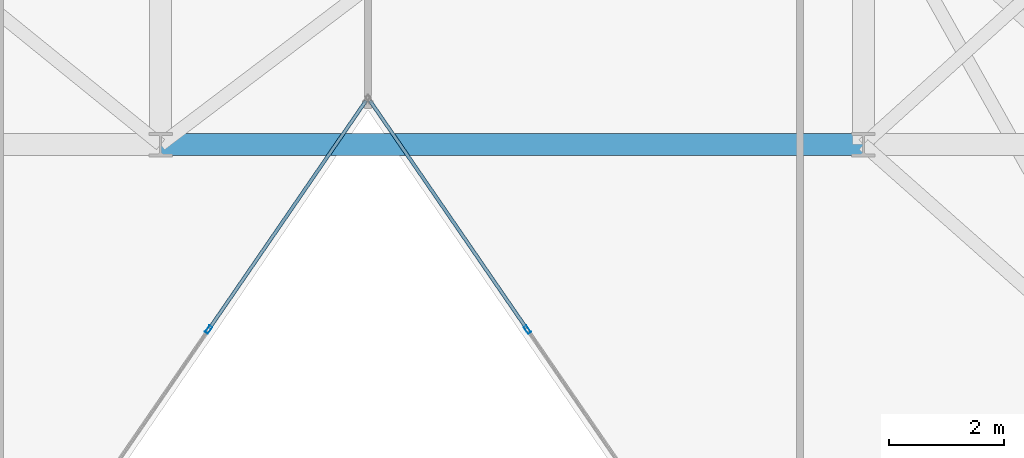
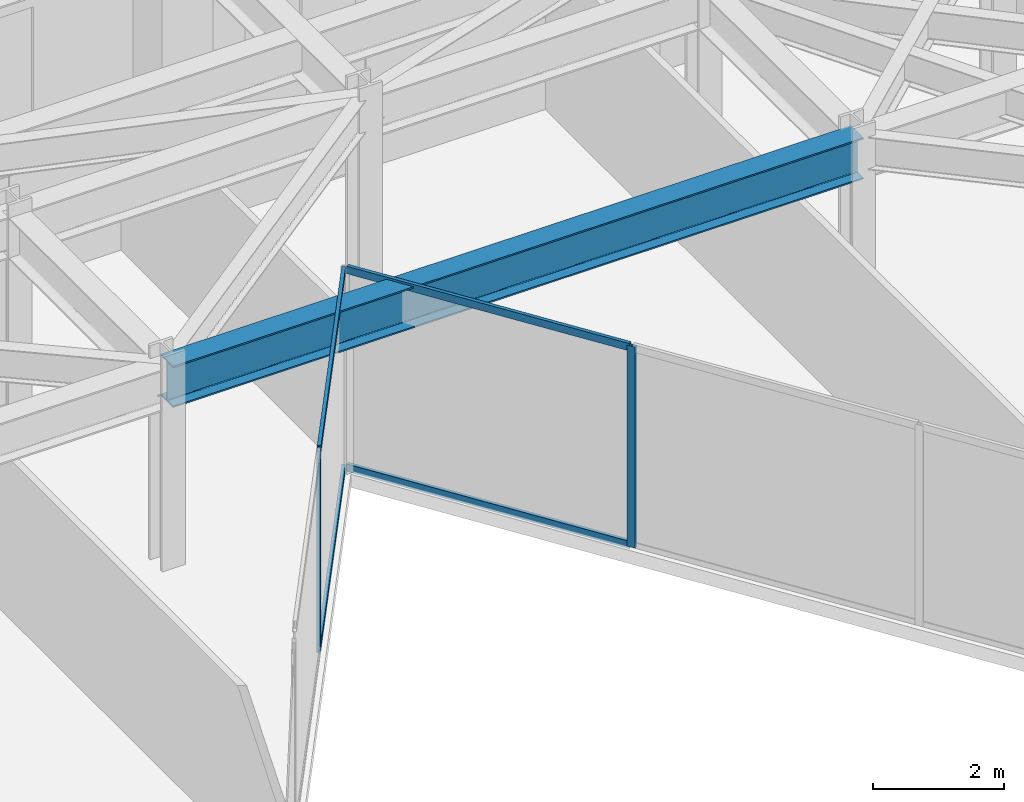
# One storey, part 6 of 21: 6 members, 1 beam, 2 elements without a shape of their own.
"""IFC4 building model written with IfcOpenShell, lengths in metres."""

from ifc_helpers import new_model, si_unit, direction, frame, origin, origin_2d, place, context, subcontext, project, spatial, hollow_rectangle, i_section, extrude, material, layer, layer_set, material_profile, profile_set, type_object, element, aggregate, save


model = new_model("IFC4")

# Units and contexts
model_context = context("Model", 3, precision=1e-05, world=origin(), true_north=direction((0.0, 1.0)))
body_context = subcontext(model_context, "Body", "Model", "MODEL_VIEW")
ifc_project = project(units=[si_unit("LENGTHUNIT", "METRE"), si_unit("AREAUNIT", "SQUARE_METRE"), si_unit("VOLUMEUNIT", "CUBIC_METRE"), si_unit("PLANEANGLEUNIT", "RADIAN"), si_unit("MASSUNIT", "GRAM", prefix="KILO")], contexts=[model_context])

# Site, building, storey
site_placement = place(None, origin())
site = spatial("IfcSite", under=ifc_project, at=site_placement, CompositionType="ELEMENT")
building_placement = place(site_placement, origin())
building = spatial("IfcBuilding", under=site, at=building_placement, Name="Kravanh Interchange Tower", CompositionType="ELEMENT")
storey_placement = place(building_placement, frame((0.0, 0.0, 184.5)))
storey = spatial("IfcBuildingStorey", under=building, at=storey_placement, Name="L44", CompositionType="ELEMENT", Elevation=184.5)

# Curtain wall, member
ifc_material_1 = material(Name="Anodised Bronze Aluminium", Category="aluminium")
ifc_layer = layer(ifc_material_1, 0.179931640625)
ifc_layer_set = layer_set([ifc_layer], Name="Unitised Curtain Wall System CW-Z3 Upper Office")
curtain_wall_type = type_object("IfcCurtainWallType", Name="Unitised Curtain Wall System CW-Z3 Upper Office", PredefinedType="NOTDEFINED", material=ifc_layer_set)
curtain_wall_1_placement = place(storey_placement, origin())
curtain_wall_1 = element("IfcCurtainWall", 1, at=curtain_wall_1_placement, inside=storey, type_object=curtain_wall_type, Name="L44 Unitised Curtain Wall CW-L44-03", PredefinedType="NOTDEFINED")
ifc_material_2 = material(Name="Anodised Bronze Aluminium", Category="aluminium")
ifc_material_profile_1 = material_profile(ifc_material_2, hollow_rectangle(XDim=0.06005859375, YDim=0.139892578125, WallThickness=0.00390625, at=origin_2d()), Name="ALU60X140X4")
ifc_profile_set_1 = profile_set([ifc_material_profile_1], Name="Anodised Bronze Aluminium")
member_type_1 = type_object("IfcMemberType", Name="Curtain Wall Mullion ALU60X140X4 Bronze", PredefinedType="MULLION", material=ifc_profile_set_1)
member_1_placement = place(storey_placement, frame((44.9658203125, 23.5888671875, 0.0), z_axis=(0.0, 0.0, 1.0), x_axis=(-0.824042223035, -0.566528388217, 0.0)))
member_1 = element("IfcMember", 2, at=member_1_placement, type_object=member_type_1, Name="CW-Z3 mullion 4", PredefinedType="MULLION", context=body_context, shape_type="SweptSolid", body=[
    extrude(hollow_rectangle(XDim=0.06005859375, YDim=0.139892578125, WallThickness=0.00390625, at=origin_2d()), origin(), (0.0, 0.0, 1.0), 3.7548828125),
])

curtain_wall_2_placement = place(storey_placement, origin())
curtain_wall_2 = element("IfcCurtainWall", 3, at=curtain_wall_2_placement, inside=storey, type_object=curtain_wall_type, Name="L44 Unitised Curtain Wall CW-L44-04", PredefinedType="NOTDEFINED")
member_2_placement = place(storey_placement, frame((39.434326171875, 23.5888671875, 0.0), z_axis=(0.0, 0.0, 1.0), x_axis=(0.824042223035, -0.566528388217, 0.0)))
member_2 = element("IfcMember", 4, at=member_2_placement, type_object=member_type_1, Name="CW-Z3 mullion 2", PredefinedType="MULLION", context=body_context, shape_type="SweptSolid", body=[
    extrude(hollow_rectangle(XDim=0.06005859375, YDim=0.139892578125, WallThickness=0.00390625, at=origin_2d()), origin(), (0.0, 0.0, 1.0), 3.7548828125),
])

# Member
ifc_material_3 = material(Name="Anodised Bronze Aluminium", Category="aluminium")
ifc_material_profile_2 = material_profile(ifc_material_3, hollow_rectangle(XDim=0.06005859375, YDim=0.139892578125, WallThickness=0.00390625, at=origin_2d()), Name="ALU60X140X4")
ifc_profile_set_2 = profile_set([ifc_material_profile_2], Name="Anodised Bronze Aluminium")
member_type_2 = type_object("IfcMemberType", Name="Curtain Wall Transom ALU60X140X4 Bronze", PredefinedType="USERDEFINED", material=ifc_profile_set_2)
member_3_placement = place(storey_placement, frame((44.94873046875, 23.613525390625, 0.030029296875), z_axis=(-0.566541796314, 0.824033004818, 0.0), x_axis=(-0.824033004818, -0.566541796314, 0.0)))
member_3 = element("IfcMember", 5, at=member_3_placement, type_object=member_type_2, Name="CW-Z3 transom 4.1", ObjectType="TRANSOM", PredefinedType="USERDEFINED", context=body_context, shape_type="SweptSolid", body=[
    extrude(hollow_rectangle(XDim=0.06005859375, YDim=0.139892578125, WallThickness=0.00390625, at=origin_2d()), origin(), (0.0, 0.0, 1.0), 4.7919921875),
])

member_4_placement = place(storey_placement, frame((44.94873046875, 23.613525390625, 3.72509765625), z_axis=(-0.566541796314, 0.824033004818, 0.0), x_axis=(-0.824033004818, -0.566541796314, 0.0)))
member_4 = element("IfcMember", 6, at=member_4_placement, type_object=member_type_2, Name="CW-Z3 transom 4.2", ObjectType="TRANSOM", PredefinedType="USERDEFINED", context=body_context, shape_type="SweptSolid", body=[
    extrude(hollow_rectangle(XDim=0.06005859375, YDim=0.139892578125, WallThickness=0.00390625, at=origin_2d()), origin(), (0.0, 0.0, 1.0), 4.7919921875),
])

aggregate(curtain_wall_1, [member_1, member_3, member_4])

member_5_placement = place(storey_placement, frame((42.166015625, 27.562255859375, 0.030029296875), z_axis=(-0.566541796314, -0.824033004818, 0.0), x_axis=(0.824033004818, -0.566541796314, 0.0)))
member_5 = element("IfcMember", 7, at=member_5_placement, type_object=member_type_2, Name="CW-Z3 transom 1.1", ObjectType="TRANSOM", PredefinedType="USERDEFINED", context=body_context, shape_type="SweptSolid", body=[
    extrude(hollow_rectangle(XDim=0.06005859375, YDim=0.139892578125, WallThickness=0.00390625, at=origin_2d()), origin(), (0.0, 0.0, 1.0), 4.7919921875),
])

member_6_placement = place(storey_placement, frame((42.166015625, 27.562255859375, 3.72509765625), z_axis=(-0.566541796314, -0.824033004818, 0.0), x_axis=(0.824033004818, -0.566541796314, 0.0)))
member_6 = element("IfcMember", 8, at=member_6_placement, type_object=member_type_2, Name="CW-Z3 transom 1.2", ObjectType="TRANSOM", PredefinedType="USERDEFINED", context=body_context, shape_type="SweptSolid", body=[
    extrude(hollow_rectangle(XDim=0.06005859375, YDim=0.139892578125, WallThickness=0.00390625, at=origin_2d()), origin(), (0.0, 0.0, 1.0), 4.7919921875),
])

aggregate(curtain_wall_2, [member_2, member_5, member_6])

# Beam
ifc_material_4 = material(Name="Structural Steel S355", Category="steel")
ifc_material_profile_3 = material_profile(ifc_material_4, i_section(OverallWidth=0.381103515625, OverallDepth=0.77294921875, WebThickness=0.0166015625, FlangeThickness=0.027099609375, FilletRadius=0.02490234375, at=origin_2d()), Name="W30X173")
ifc_profile_set_3 = profile_set([ifc_material_profile_3], Name="Structural Steel S355")
beam_type = type_object("IfcBeamType", Name="Floor Beam W30X173 Structural Steel S355", PredefinedType="BEAM", material=ifc_profile_set_3)
beam_placement = place(storey_placement, frame((38.60009765625, 26.800048828125, 3.368408203125), z_axis=(1.0, 0.0, 0.0), x_axis=(0.0, 1.0, 0.0)))
element("IfcBeam", 9, at=beam_placement, inside=storey, type_object=beam_type, Name="L44 Primary Floor Girder 48", PredefinedType="BEAM", context=body_context, shape_type="SweptSolid", body=[
    extrude(i_section(OverallWidth=0.381103515625, OverallDepth=0.77294921875, WebThickness=0.0166015625, FlangeThickness=0.027099609375, FilletRadius=0.02490234375, at=origin_2d()), origin(), (0.0, 0.0, 1.0), 12.199951171875),
])

save(model, "model.ifc")
